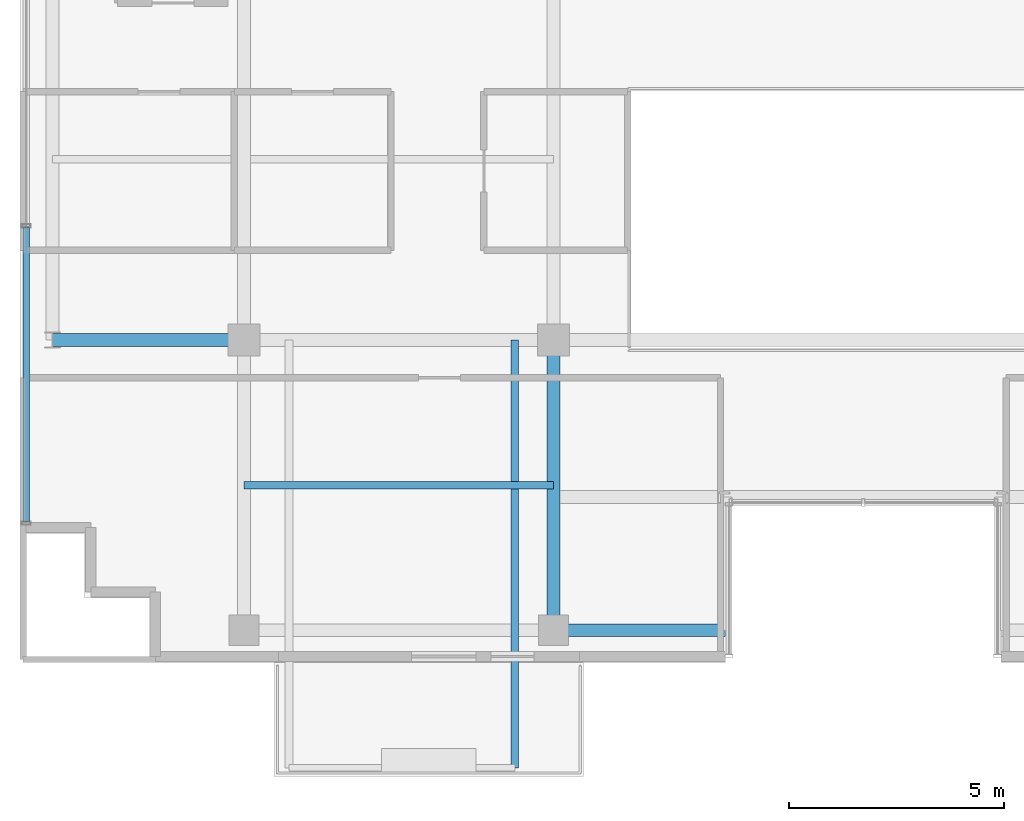
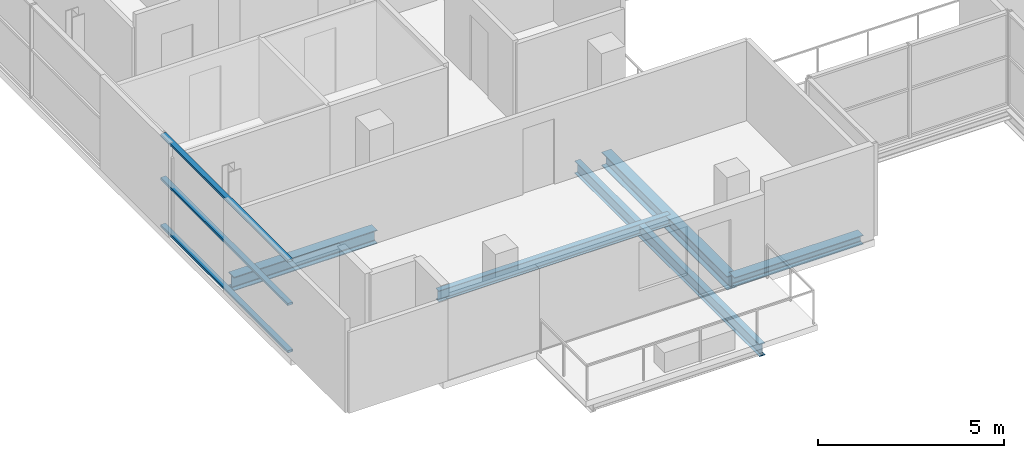
# One storey, part 3 of 22: 5 beams, 3 members, 1 element without a shape of its own.
"""IFC4 building model written with IfcOpenShell, lengths in metres."""

import ifcopenshell
import ifcopenshell.guid

model = None  # the IFC model being written
_history = None  # IfcOwnerHistory: only IFC2X3 demands one
_inside = {}  # id of a spatial element -> (the spatial element, [elements in it])
_under = {}  # id of a project, library or spatial element -> (it, [spatial elements below it])
_declared = {}  # id of a project -> (the project, [libraries it declares])
_typed = {}  # id of a type object -> (the type object, [elements of that type])
_made_of = {}  # id of a material, layer set ... -> (it, [elements and type objects made of it])


def new_model(schema):
    """Start an empty IFC model of exactly this schema.

    Asked for "IFC4X3", IfcOpenShell would pick the latest addendum, in which some entities
    have other attributes; the version numbers below select the first issue.
    IFC2X3 requires an IfcOwnerHistory on every rooted entity: one is made here for all.
    """
    global model, _history
    if schema == "IFC4X3":
        model = ifcopenshell.file(schema_version=(4, 3, 0, 0))
    else:
        model = ifcopenshell.file(schema=schema)
    _inside.clear()
    _under.clear()
    _declared.clear()
    _typed.clear()
    _made_of.clear()
    _history = None
    if model.schema == "IFC2X3":
        org = make("IfcOrganization", Name="unknown")
        user = make(
            "IfcPersonAndOrganization",
            ThePerson=make("IfcPerson", FamilyName="unknown"),
            TheOrganization=org,
        )
        app = make(
            "IfcApplication",
            ApplicationDeveloper=org,
            Version="unknown",
            ApplicationFullName="unknown",
            ApplicationIdentifier="unknown",
        )
        _history = make(
            "IfcOwnerHistory",
            OwningUser=user,
            OwningApplication=app,
            ChangeAction="ADDED",
            CreationDate=0,
        )
    return model


def make(cls, **values):
    """One entity of the class cls with the attributes given. An attribute that is None is left unset."""
    return model.create_entity(
        cls, **{name: value for name, value in values.items() if value is not None}
    )


def rooted(cls, **values):
    """An entity with a GlobalId (a new one), such as an element, a storey or a relation."""
    return make(cls, GlobalId=ifcopenshell.guid.new(), OwnerHistory=_history, **values)


def si_unit(unit_type, name, prefix=None):
    """IfcSIUnit, for example si_unit("LENGTHUNIT", "METRE", prefix="MILLI")."""
    return make("IfcSIUnit", UnitType=unit_type, Prefix=prefix, Name=name)


def assignment(units):
    """IfcUnitAssignment: the units of a project."""
    return None if units is None else make("IfcUnitAssignment", Units=units)


def point(xyz):
    """IfcCartesianPoint."""
    return None if xyz is None else make("IfcCartesianPoint", Coordinates=xyz)


def direction(xyz):
    """IfcDirection."""
    return None if xyz is None else make("IfcDirection", DirectionRatios=xyz)


def frame(location, z_axis=None, x_axis=None):
    """IfcAxis2Placement3D, a coordinate frame: its origin and axes. An axis left out is left unset."""
    return make(
        "IfcAxis2Placement3D",
        Location=point(location),
        Axis=direction(z_axis),
        RefDirection=direction(x_axis),
    )


def frame_2d(location, x_axis=None):
    """IfcAxis2Placement2D, a coordinate frame in the plane: its origin and x axis."""
    return make(
        "IfcAxis2Placement2D", Location=point(location), RefDirection=direction(x_axis)
    )


def origin():
    """The frame at (0, 0, 0) with its axes left unset."""
    return frame((0.0, 0.0, 0.0))


def origin_2d():
    """The frame at (0, 0) in the plane with its x axis left unset."""
    return frame_2d((0.0, 0.0))


def place(relative_to, where):
    """IfcLocalPlacement: puts the frame where relative to a parent placement (None: the world)."""
    return make(
        "IfcLocalPlacement", PlacementRelTo=relative_to, RelativePlacement=where
    )


def context(
    kind, dimensions, precision=None, world=None, true_north=None, identifier=None
):
    """IfcGeometricRepresentationContext, for example the 3D "Model" context."""
    return make(
        "IfcGeometricRepresentationContext",
        ContextIdentifier=identifier,
        ContextType=kind,
        CoordinateSpaceDimension=dimensions,
        Precision=precision,
        WorldCoordinateSystem=world,
        TrueNorth=true_north,
    )


def subcontext(parent, identifier, kind, view, scale=None):
    """IfcGeometricRepresentationSubContext, for example "Body" below "Model"."""
    return make(
        "IfcGeometricRepresentationSubContext",
        ContextIdentifier=identifier,
        ContextType=kind,
        ParentContext=parent,
        TargetScale=scale,
        TargetView=view,
    )


def project(units=None, contexts=None):
    """IfcProject with its units and contexts."""
    return rooted(
        "IfcProject",
        Name="project",
        RepresentationContexts=contexts,
        UnitsInContext=assignment(units),
    )


def spatial(cls, under=None, at=None, **own):
    """A site, building, storey or space (cls), placed at a placement, below another one or the project."""
    s = rooted(cls, ObjectPlacement=at, **own)
    if under is not None:
        _under.setdefault(under.id(), (under, []))[1].append(s)
    return s


def profile(cls, at=None, kind="AREA", **sizes):
    """A parametric profile (cls). Its sizes go by their IFC names, for example OverallWidth=200.0."""
    return make(cls, ProfileType=kind, Position=at, **sizes)


def hollow_rectangle(**sizes):
    """IfcRectangleHollowProfileDef."""
    return profile("IfcRectangleHollowProfileDef", **sizes)


def i_section(**sizes):
    """IfcIShapeProfileDef."""
    return profile("IfcIShapeProfileDef", **sizes)


def extrude(swept, where, along, depth):
    """IfcExtrudedAreaSolid: the profile swept, set in the frame where, extruded along a direction by depth."""
    return make(
        "IfcExtrudedAreaSolid",
        SweptArea=swept,
        Position=where,
        ExtrudedDirection=direction(along),
        Depth=depth,
    )


def shape(context_of_items, identifier, shape_type, items):
    """IfcShapeRepresentation: the items that make up one representation, for example the "Body"."""
    return make(
        "IfcShapeRepresentation",
        ContextOfItems=context_of_items,
        RepresentationIdentifier=identifier,
        RepresentationType=shape_type,
        Items=items,
    )


def source(mapping_origin, context_of_items, identifier, shape_type, items):
    """IfcRepresentationMap: a shape defined once, which mapped items show again and again."""
    return make(
        "IfcRepresentationMap",
        MappingOrigin=mapping_origin,
        MappedRepresentation=shape(context_of_items, identifier, shape_type, items),
    )


def transform(
    local_origin,
    x_axis=None,
    y_axis=None,
    z_axis=None,
    scale=None,
    scale2=None,
    scale3=None,
    uniform=True,
):
    """IfcCartesianTransformationOperator3D, or its non-uniform kind. x_axis, y_axis, z_axis: its Axis1, 2, 3."""
    if uniform:
        return make(
            "IfcCartesianTransformationOperator3D",
            Axis1=direction(x_axis),
            Axis2=direction(y_axis),
            LocalOrigin=point(local_origin),
            Scale=scale,
            Axis3=direction(z_axis),
        )
    return make(
        "IfcCartesianTransformationOperator3DnonUniform",
        Axis1=direction(x_axis),
        Axis2=direction(y_axis),
        LocalOrigin=point(local_origin),
        Scale=scale,
        Axis3=direction(z_axis),
        Scale2=scale2,
        Scale3=scale3,
    )


def mapped(mapping_source, mapping_target):
    """IfcMappedItem: shows the shape of a source again, moved by a transform."""
    return make(
        "IfcMappedItem", MappingSource=mapping_source, MappingTarget=mapping_target
    )


def material(Name=None, Category=None):
    """IfcMaterial."""
    return make("IfcMaterial", Name=Name, Category=Category)


def layer(
    of_material, thickness, ventilated=None, Name=None, Category=None, Priority=None
):
    """IfcMaterialLayer: one layer of a wall or slab, of a material (None: an air gap)."""
    return make(
        "IfcMaterialLayer",
        Material=of_material,
        LayerThickness=thickness,
        IsVentilated=ventilated,
        Name=Name,
        Category=Category,
        Priority=Priority,
    )


def layer_set(layers, Name=None):
    """IfcMaterialLayerSet."""
    return make("IfcMaterialLayerSet", MaterialLayers=layers, LayerSetName=Name)


def material_profile(
    of_material, cross_section, Name=None, Category=None, Priority=None
):
    """IfcMaterialProfile: a cross section and its material."""
    return make(
        "IfcMaterialProfile",
        Name=Name,
        Material=of_material,
        Profile=cross_section,
        Priority=Priority,
        Category=Category,
    )


def profile_set(profiles, Name=None, composite=None):
    """IfcMaterialProfileSet."""
    return make(
        "IfcMaterialProfileSet",
        Name=Name,
        MaterialProfiles=profiles,
        CompositeProfile=composite,
    )


def made_of(thing, what):
    """Note that an element or type object is made of a material, layer set ...; save() writes the relation."""
    if what is not None:
        _made_of.setdefault(what.id(), (what, []))[1].append(thing)
    return thing


def type_object(cls, material=None, **own):
    """A type object (cls), such as IfcWallType, which elements share."""
    return made_of(rooted(cls, **own), material)


def element(
    cls,
    number,
    at=None,
    inside=None,
    cuts=None,
    type_object=None,
    material=None,
    context=None,
    identifier="Body",
    shape_type=None,
    held_by="IfcProductDefinitionShape",
    body=None,
    shapes=None,
    **own,
):
    """One element of the class cls, such as IfcWall. Its Tag is "e" and its number.

    at: its placement. inside: the storey or other place that contains it. cuts: it is an
    opening in that element (IfcRelVoidsElement). A single representation is given by context,
    identifier, shape_type and body (its items); several are given by shapes. held_by: the class
    of the entity that holds the representations. save() writes the other relations.
    """
    e = rooted(cls, Tag="e%d" % number, ObjectPlacement=at, **own)
    if body is not None:
        shapes = [shape(context, identifier, shape_type, body)]
    if shapes is not None:
        e.Representation = make(held_by, Representations=shapes)
    if inside is not None:
        _inside.setdefault(inside.id(), (inside, []))[1].append(e)
    if cuts is not None:
        rooted(
            "IfcRelVoidsElement", RelatingBuildingElement=cuts, RelatedOpeningElement=e
        )
    if type_object is not None:
        _typed.setdefault(type_object.id(), (type_object, []))[1].append(e)
    return made_of(e, material)


def aggregate(whole, parts):
    """IfcRelAggregates: a whole, such as a stair, and the parts it consists of."""
    return rooted("IfcRelAggregates", RelatingObject=whole, RelatedObjects=parts)


def save(model, path):
    """Write the relations noted so far, then the file.

    IfcRelAggregates (storeys below a building ...), IfcRelContainedInSpatialStructure (elements
    in a storey), IfcRelDefinesByType, IfcRelAssociatesMaterial and IfcRelDeclares: one each for
    every whole, place, type object, material and project.
    """
    for whole, parts in _under.values():
        aggregate(whole, parts)
    for where, things in _inside.values():
        rooted(
            "IfcRelContainedInSpatialStructure",
            RelatedElements=things,
            RelatingStructure=where,
        )
    for kind, things in _typed.values():
        rooted("IfcRelDefinesByType", RelatedObjects=things, RelatingType=kind)
    for what, things in _made_of.values():
        rooted("IfcRelAssociatesMaterial", RelatedObjects=things, RelatingMaterial=what)
    for by, libraries in _declared.values():
        rooted("IfcRelDeclares", RelatingContext=by, RelatedDefinitions=libraries)
    model.write(path)


model = new_model("IFC4")

# Units and contexts
model_context = context("Model", 3, precision=1e-05, world=origin(), true_north=direction((0.0, 1.0)))
body_context = subcontext(model_context, "Body", "Model", "MODEL_VIEW")
ifc_project = project(units=[si_unit("LENGTHUNIT", "METRE"), si_unit("AREAUNIT", "SQUARE_METRE"), si_unit("VOLUMEUNIT", "CUBIC_METRE"), si_unit("PLANEANGLEUNIT", "RADIAN"), si_unit("MASSUNIT", "GRAM", prefix="KILO")], contexts=[model_context])

# Site, building, storey
site_placement = place(None, origin())
site = spatial("IfcSite", under=ifc_project, at=site_placement, CompositionType="ELEMENT")
building_placement = place(site_placement, origin())
building = spatial("IfcBuilding", under=site, at=building_placement, Name="Zarnakvel Exchange Tower", CompositionType="ELEMENT")
storey_placement = place(building_placement, frame((0.0, 0.0, 251.800048828125)))
storey = spatial("IfcBuildingStorey", under=building, at=storey_placement, Name="L71", CompositionType="ELEMENT", Elevation=251.800048828125)

# Beams
ifc_material_1 = material(Name="Steel S355", Category="steel")
ifc_material_profile_1 = material_profile(ifc_material_1, i_section(OverallWidth=0.179931640625, OverallDepth=0.39990234375, WebThickness=0.008544921875, FlangeThickness=0.013427734375, FilletRadius=0.02099609375, at=origin_2d()))
ifc_profile_set_1 = profile_set([ifc_material_profile_1], Name="Steel S355")
beam_type_1 = type_object("IfcBeamType", Name="B-06", PredefinedType="JOIST", material=ifc_profile_set_1)
beam_1_placement = place(storey_placement, frame((-8.10009765625, -9.60009765625, -0.425048828125), z_axis=(0.0, -1.0, 0.0), x_axis=(1.0, 0.0, 0.0)))
element("IfcBeam", 1, at=beam_1_placement, inside=storey, type_object=beam_type_1, Name="L71 Continuous Back-Spanned Balcony Beam E", PredefinedType="JOIST", context=body_context, shape_type="SweptSolid", body=[
    extrude(i_section(OverallWidth=0.179931640625, OverallDepth=0.39990234375, WebThickness=0.008544921875, FlangeThickness=0.013427734375, FilletRadius=0.02099609375, at=origin_2d()), origin(), (0.0, 0.0, 1.0), 9.949951171875),
])
ifc_material_profile_2 = material_profile(ifc_material_1, i_section(OverallWidth=0.169921875, OverallDepth=0.360107421875, WebThickness=0.008056640625, FlangeThickness=0.0126953125, FilletRadius=0.01806640625, at=origin_2d()))
ifc_profile_set_2 = profile_set([ifc_material_profile_2], Name="Steel S355")
beam_type_2 = type_object("IfcBeamType", Name="B-07", PredefinedType="JOIST", material=ifc_profile_set_2)
beam_2_placement = place(storey_placement, frame((-14.39990234375, -12.97509765625, -0.405029296875), z_axis=(1.0, 0.0, 0.0), x_axis=(0.0, 1.0, 0.0)))
element("IfcBeam", 2, at=beam_2_placement, inside=storey, type_object=beam_type_2, Name="L71 Composite Floor Secondary Joist", PredefinedType="JOIST", context=body_context, shape_type="SweptSolid", body=[
    extrude(i_section(OverallWidth=0.169921875, OverallDepth=0.360107421875, WebThickness=0.008056640625, FlangeThickness=0.0126953125, FilletRadius=0.01806640625, at=origin_2d()), origin(), (0.0, 0.0, 1.0), 7.199951171875),
])
ifc_material_profile_3 = material_profile(ifc_material_1, i_section(OverallWidth=0.300048828125, OverallDepth=0.449951171875, WebThickness=0.013916015625, FlangeThickness=0.02587890625, FilletRadius=0.027099609375, at=origin_2d()))
ifc_profile_set_3 = profile_set([ifc_material_profile_3], Name="Steel S355")
beam_type_3 = type_object("IfcBeamType", Name="G-07", PredefinedType="BEAM", material=ifc_profile_set_3)
beam_3_placement = place(storey_placement, frame((-18.85009765625, -9.60009765625, -0.449951171875), z_axis=(1.0, 0.0, 0.0), x_axis=(0.0, 1.0, 0.0)))
element("IfcBeam", 3, at=beam_3_placement, inside=storey, type_object=beam_type_3, Name="L71 Tower E-W Frame Beam", PredefinedType="BEAM", context=body_context, shape_type="SweptSolid", body=[
    extrude(i_section(OverallWidth=0.300048828125, OverallDepth=0.449951171875, WebThickness=0.013916015625, FlangeThickness=0.02587890625, FilletRadius=0.027099609375, at=origin_2d()), origin(), (0.0, 0.0, 1.0), 4.4501953125),
])
beam_4_placement = place(storey_placement, frame((-7.199951171875, -16.35009765625, -0.449951171875), z_axis=(0.0, 1.0, 0.0), x_axis=(-1.0, 0.0, 0.0)))
element("IfcBeam", 4, at=beam_4_placement, inside=storey, type_object=beam_type_3, Name="L71 Tower N-S Frame Beam", PredefinedType="BEAM", context=body_context, shape_type="SweptSolid", body=[
    extrude(i_section(OverallWidth=0.300048828125, OverallDepth=0.449951171875, WebThickness=0.013916015625, FlangeThickness=0.02587890625, FilletRadius=0.027099609375, at=origin_2d()), origin(), (0.0, 0.0, 1.0), 6.75),
])
ifc_material_profile_4 = material_profile(ifc_material_1, i_section(OverallWidth=0.300048828125, OverallDepth=0.300048828125, WebThickness=0.010986328125, FlangeThickness=0.01904296875, FilletRadius=0.027099609375, at=origin_2d()))
ifc_profile_set_4 = profile_set([ifc_material_profile_4], Name="Steel S355")
beam_type_4 = type_object("IfcBeamType", Name="SP-03", PredefinedType="SPANDREL", material=ifc_profile_set_4)
beam_5_placement = place(storey_placement, frame((-7.199951171875, -16.35009765625, -0.375), z_axis=(1.0, 0.0, 0.0), x_axis=(0.0, 1.0, 0.0)))
element("IfcBeam", 5, at=beam_5_placement, inside=storey, type_object=beam_type_4, Name="L71 South Slot West Jamb Spandrel", PredefinedType="SPANDREL", context=body_context, shape_type="SweptSolid", body=[
    extrude(i_section(OverallWidth=0.300048828125, OverallDepth=0.300048828125, WebThickness=0.010986328125, FlangeThickness=0.01904296875, FilletRadius=0.027099609375, at=origin_2d()), origin(), (0.0, 0.0, 1.0), 4.0),
])

# Curtain wall, members
ifc_material_2 = material(Name="Architectural Bronze Anodised Aluminium", Category="aluminium")
ifc_layer = layer(ifc_material_2, 0.199951171875)
ifc_layer_set = layer_set([ifc_layer], Name="Architectural Bronze Anodised Aluminium")
curtain_wall_type = type_object("IfcCurtainWallType", Name="CW-04", PredefinedType="NOTDEFINED", material=ifc_layer_set)
curtain_wall_placement = place(storey_placement, origin())
curtain_wall = element("IfcCurtainWall", 6, at=curtain_wall_placement, inside=storey, type_object=curtain_wall_type, Name="L71 Curtain Wall CW-L71-W1 (CW-04)", PredefinedType="NOTDEFINED")
ifc_material_profile_5 = material_profile(ifc_material_2, hollow_rectangle(XDim=0.159912109375, YDim=0.074951171875, WallThickness=0.00390625, at=origin_2d()))
ifc_profile_set_5 = profile_set([ifc_material_profile_5], Name="Architectural Bronze Anodised Aluminium")
member_type = type_object("IfcMemberType", Name="CWT-04", PredefinedType="USERDEFINED", material=ifc_profile_set_5)
shared_shape = source(origin(), body_context, "Body", "SweptSolid", [
    extrude(hollow_rectangle(XDim=0.159912109375, YDim=0.074951171875, WallThickness=0.00390625, at=origin_2d()), origin(), (0.0, 0.0, 1.0), 6.83740234375),
])
member_1_placement = place(storey_placement, frame((-19.4599609375, -13.824951171875, 0.037353515625), z_axis=(0.0, 1.0, 0.0), x_axis=(-1.0, 0.0, 0.0)))
member_1 = element("IfcMember", 7, at=member_1_placement, type_object=member_type, Name="CW-04 transom 1.1", ObjectType="TRANSOM", PredefinedType="USERDEFINED", context=body_context, shape_type="MappedRepresentation", body=[
    mapped(shared_shape, transform((0.0, 0.0, 0.0), x_axis=(1.0, 0.0, 0.0), y_axis=(0.0, 1.0, 0.0), z_axis=(0.0, 0.0, 1.0), scale=1.0)),
])
member_2_placement = place(storey_placement, frame((-19.4599609375, -13.824951171875, 1.588623046875), z_axis=(0.0, 1.0, 0.0), x_axis=(-1.0, 0.0, 0.0)))
member_2 = element("IfcMember", 8, at=member_2_placement, type_object=member_type, Name="CW-04 transom 1.2", ObjectType="TRANSOM", PredefinedType="USERDEFINED", context=body_context, shape_type="MappedRepresentation", body=[
    mapped(shared_shape, transform((0.0, 0.0, 0.0), x_axis=(1.0, 0.0, 0.0), y_axis=(0.0, 1.0, 0.0), z_axis=(0.0, 0.0, 1.0), scale=1.0)),
])
member_3_placement = place(storey_placement, frame((-19.4599609375, -13.824951171875, 3.017333984375), z_axis=(0.0, 1.0, 0.0), x_axis=(-1.0, 0.0, 0.0)))
member_3 = element("IfcMember", 9, at=member_3_placement, type_object=member_type, Name="CW-04 transom 1.3", ObjectType="TRANSOM", PredefinedType="USERDEFINED", context=body_context, shape_type="MappedRepresentation", body=[
    mapped(shared_shape, transform((0.0, 0.0, 0.0), x_axis=(1.0, 0.0, 0.0), y_axis=(0.0, 1.0, 0.0), z_axis=(0.0, 0.0, 1.0), scale=1.0)),
])
aggregate(curtain_wall, [member_1, member_2, member_3])

save(model, "model.ifc")
